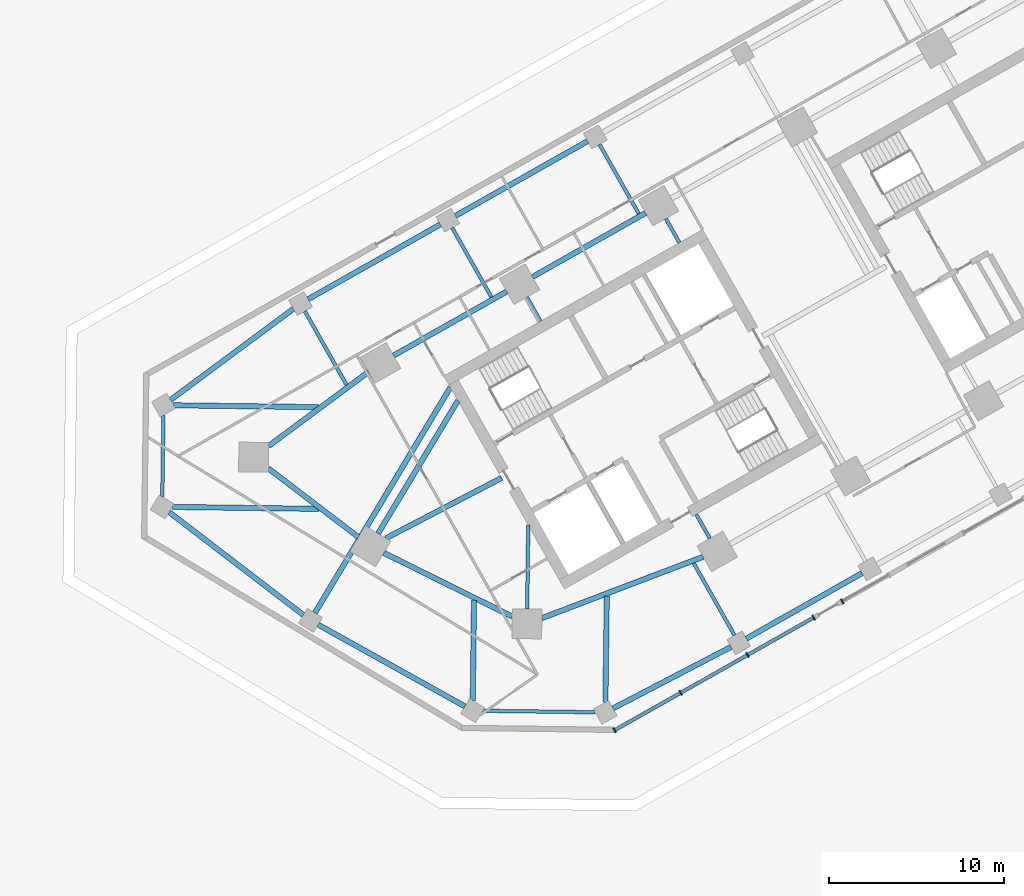
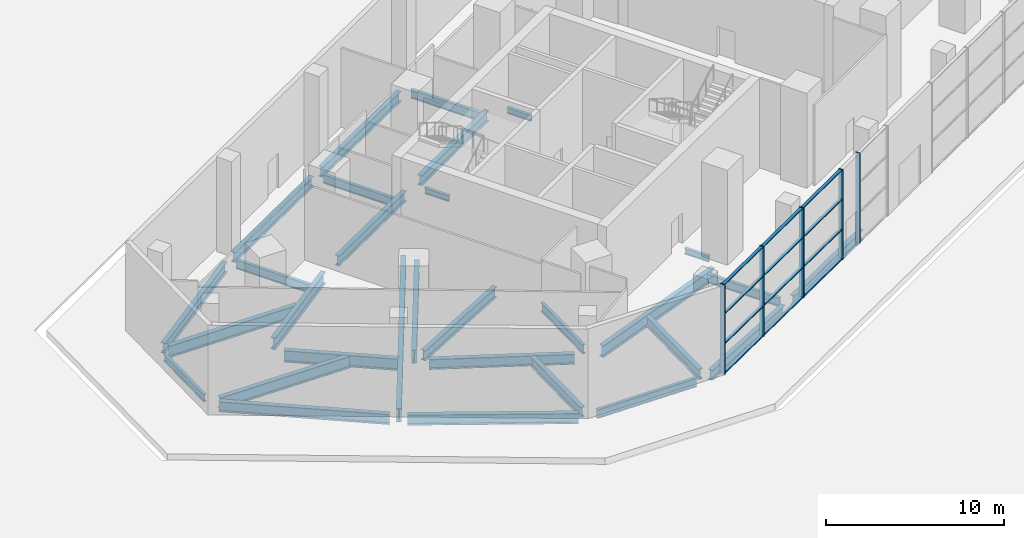
# One storey, part 3 of 22: 30 beams, 17 members, 2 elements without a shape of their own.
"""IFC4 building model written with IfcOpenShell, lengths in metres."""

from ifc_helpers import new_model, si_unit, direction, frame, origin, origin_2d, place, context, subcontext, project, spatial, rectangle, i_section, extrude, material, material_profile, profile_set, type_object, element, aggregate, save


model = new_model("IFC4")

# Units and contexts
model_context = context("Model", 3, precision=1e-05, world=origin(), true_north=direction((0.0, 1.0)))
body_context = subcontext(model_context, "Body", "Model", "MODEL_VIEW")
ifc_project = project(units=[si_unit("LENGTHUNIT", "METRE"), si_unit("AREAUNIT", "SQUARE_METRE"), si_unit("VOLUMEUNIT", "CUBIC_METRE"), si_unit("PLANEANGLEUNIT", "RADIAN"), si_unit("MASSUNIT", "GRAM", prefix="KILO")], contexts=[model_context])

# Site, building, storey
site_placement = place(None, origin())
site = spatial("IfcSite", under=ifc_project, at=site_placement, CompositionType="ELEMENT")
building_placement = place(site_placement, origin())
building = spatial("IfcBuilding", under=site, at=building_placement, Name="Binnacle Exchange Tower", CompositionType="ELEMENT")
storey_placement = place(building_placement, origin())
storey = spatial("IfcBuildingStorey", under=building, at=storey_placement, Name="L00", CompositionType="ELEMENT", Elevation=0.0)

# Curtain wall, members
ifc_material_1 = material(Name="Bronze anodised aluminium frame", Category="aluminium")
curtain_wall_type = type_object("IfcCurtainWallType", Name="External wall - curtain wall waterfront lobby", PredefinedType="NOTDEFINED", material=ifc_material_1)
curtain_wall_1_placement = place(storey_placement, origin())
curtain_wall_1 = element("IfcCurtainWall", 1, at=curtain_wall_1_placement, inside=storey, type_object=curtain_wall_type, Name="External wall curtain wall CW1-P06-1 L00", PredefinedType="NOTDEFINED")
ifc_material_profile_1 = material_profile(ifc_material_1, rectangle(XDim=0.300048828125, YDim=0.080078125, at=origin_2d()), Name="AL 80x300")
ifc_profile_set_1 = profile_set([ifc_material_profile_1], Name="Bronze anodised aluminium frame")
member_type_1 = type_object("IfcMemberType", Name="CW1 MULLION 80x300", PredefinedType="MULLION", material=ifc_profile_set_1)
member_1_placement = place(storey_placement, frame((-36.849609375, 21.40673828125, 0.0), z_axis=(0.0, 0.0, 1.0), x_axis=(-0.492423763019, 0.870355581136, 0.0)))
member_1 = element("IfcMember", 2, at=member_1_placement, type_object=member_type_1, Name="CW1-P06-1 mullion 1", PredefinedType="MULLION", context=body_context, shape_type="SweptSolid", body=[
    extrude(rectangle(XDim=0.300048828125, YDim=0.080078125, at=origin_2d()), origin(), (0.0, 0.0, 1.0), 6.14990234375),
])
member_2_placement = place(storey_placement, frame((-33.064453125, 23.54833984375, 0.0), z_axis=(0.0, 0.0, 1.0), x_axis=(-0.492423763019, 0.870355581136, 0.0)))
member_2 = element("IfcMember", 3, at=member_2_placement, type_object=member_type_1, Name="CW1-P06-1 mullion 2", PredefinedType="MULLION", context=body_context, shape_type="SweptSolid", body=[
    extrude(rectangle(XDim=0.300048828125, YDim=0.080078125, at=origin_2d()), origin(), (0.0, 0.0, 1.0), 6.14990234375),
])
member_3_placement = place(storey_placement, frame((-29.244384765625, 25.70947265625, 0.0), z_axis=(0.0, 0.0, 1.0), x_axis=(-0.492423763019, 0.870355581136, 0.0)))
member_3 = element("IfcMember", 4, at=member_3_placement, type_object=member_type_1, Name="CW1-P06-1 mullion 3", PredefinedType="MULLION", context=body_context, shape_type="SweptSolid", body=[
    extrude(rectangle(XDim=0.300048828125, YDim=0.080078125, at=origin_2d()), origin(), (0.0, 0.0, 1.0), 6.14990234375),
])
member_4_placement = place(storey_placement, frame((-25.458984375, 27.85107421875, 0.0), z_axis=(0.0, 0.0, 1.0), x_axis=(-0.492423763019, 0.870355581136, 0.0)))
member_4 = element("IfcMember", 5, at=member_4_placement, type_object=member_type_1, Name="CW1-P06-1 mullion 4", PredefinedType="MULLION", context=body_context, shape_type="SweptSolid", body=[
    extrude(rectangle(XDim=0.300048828125, YDim=0.080078125, at=origin_2d()), origin(), (0.0, 0.0, 1.0), 6.14990234375),
])

# Curtain wall, member
curtain_wall_2_placement = place(storey_placement, origin())
curtain_wall_2 = element("IfcCurtainWall", 6, at=curtain_wall_2_placement, inside=storey, type_object=curtain_wall_type, Name="External wall curtain wall CW1-P06-2 L00", PredefinedType="NOTDEFINED")
member_5_placement = place(storey_placement, frame((-23.82275390625, 28.77685546875, 0.0), z_axis=(0.0, 0.0, 1.0), x_axis=(-0.492423762867, 0.870355581222, 0.0)))
member_5 = element("IfcMember", 7, at=member_5_placement, type_object=member_type_1, Name="CW1-P06-2 mullion 1", PredefinedType="MULLION", context=body_context, shape_type="SweptSolid", body=[
    extrude(rectangle(XDim=0.300048828125, YDim=0.080078125, at=origin_2d()), origin(), (0.0, 0.0, 1.0), 6.14990234375),
])
aggregate(curtain_wall_2, [member_5])

# Member
ifc_material_profile_2 = material_profile(ifc_material_1, rectangle(XDim=0.199951171875, YDim=0.06005859375, at=origin_2d()), Name="AL 200x60")
ifc_profile_set_2 = profile_set([ifc_material_profile_2], Name="Bronze anodised aluminium frame")
member_type_2 = type_object("IfcMemberType", Name="CW1 TRANSOM 60x200", PredefinedType="USERDEFINED", material=ifc_profile_set_2)
member_6_placement = place(storey_placement, frame((-36.81494140625, 21.42626953125, 0.030029296875), z_axis=(0.870357207725, 0.492420888023, 0.0), x_axis=(-0.492420888023, 0.870357207725, 0.0)))
member_6 = element("IfcMember", 8, at=member_6_placement, type_object=member_type_2, Name="CW1-P06-1 transom 1.1", ObjectType="TRANSOM", PredefinedType="USERDEFINED", context=body_context, shape_type="SweptSolid", body=[
    extrude(rectangle(XDim=0.199951171875, YDim=0.06005859375, at=origin_2d()), origin(), (0.0, 0.0, 1.0), 4.269287109375),
])

member_7_placement = place(storey_placement, frame((-36.81494140625, 21.42626953125, 2.050048828125), z_axis=(0.870357207725, 0.492420888023, 0.0), x_axis=(-0.492420888023, 0.870357207725, 0.0)))
member_7 = element("IfcMember", 9, at=member_7_placement, type_object=member_type_2, Name="CW1-P06-1 transom 1.2", ObjectType="TRANSOM", PredefinedType="USERDEFINED", context=body_context, shape_type="SweptSolid", body=[
    extrude(rectangle(XDim=0.199951171875, YDim=0.06005859375, at=origin_2d()), origin(), (0.0, 0.0, 1.0), 4.269287109375),
])

member_8_placement = place(storey_placement, frame((-36.81494140625, 21.42626953125, 4.10009765625), z_axis=(0.870357207725, 0.492420888023, 0.0), x_axis=(-0.492420888023, 0.870357207725, 0.0)))
member_8 = element("IfcMember", 10, at=member_8_placement, type_object=member_type_2, Name="CW1-P06-1 transom 1.3", ObjectType="TRANSOM", PredefinedType="USERDEFINED", context=body_context, shape_type="SweptSolid", body=[
    extrude(rectangle(XDim=0.199951171875, YDim=0.06005859375, at=origin_2d()), origin(), (0.0, 0.0, 1.0), 4.269287109375),
])

member_9_placement = place(storey_placement, frame((-36.81494140625, 21.42626953125, 6.1201171875), z_axis=(0.870357207725, 0.492420888023, 0.0), x_axis=(-0.492420888023, 0.870357207725, 0.0)))
member_9 = element("IfcMember", 11, at=member_9_placement, type_object=member_type_2, Name="CW1-P06-1 transom 1.4", ObjectType="TRANSOM", PredefinedType="USERDEFINED", context=body_context, shape_type="SweptSolid", body=[
    extrude(rectangle(XDim=0.199951171875, YDim=0.06005859375, at=origin_2d()), origin(), (0.0, 0.0, 1.0), 4.269287109375),
])

member_10_placement = place(storey_placement, frame((-33.029541015625, 23.56787109375, 0.030029296875), z_axis=(0.870341161043, 0.492449249563, 0.0), x_axis=(-0.492449249563, 0.870341161043, 0.0)))
member_10 = element("IfcMember", 12, at=member_10_placement, type_object=member_type_2, Name="CW1-P06-1 transom 2.1", ObjectType="TRANSOM", PredefinedType="USERDEFINED", context=body_context, shape_type="SweptSolid", body=[
    extrude(rectangle(XDim=0.199951171875, YDim=0.06005859375, at=origin_2d()), origin(), (0.0, 0.0, 1.0), 4.309326171875),
])

member_11_placement = place(storey_placement, frame((-33.029541015625, 23.56787109375, 2.050048828125), z_axis=(0.870341161043, 0.492449249563, 0.0), x_axis=(-0.492449249563, 0.870341161043, 0.0)))
member_11 = element("IfcMember", 13, at=member_11_placement, type_object=member_type_2, Name="CW1-P06-1 transom 2.2", ObjectType="TRANSOM", PredefinedType="USERDEFINED", context=body_context, shape_type="SweptSolid", body=[
    extrude(rectangle(XDim=0.199951171875, YDim=0.06005859375, at=origin_2d()), origin(), (0.0, 0.0, 1.0), 4.309326171875),
])

member_12_placement = place(storey_placement, frame((-33.029541015625, 23.56787109375, 4.10009765625), z_axis=(0.870341161043, 0.492449249563, 0.0), x_axis=(-0.492449249563, 0.870341161043, 0.0)))
member_12 = element("IfcMember", 14, at=member_12_placement, type_object=member_type_2, Name="CW1-P06-1 transom 2.3", ObjectType="TRANSOM", PredefinedType="USERDEFINED", context=body_context, shape_type="SweptSolid", body=[
    extrude(rectangle(XDim=0.199951171875, YDim=0.06005859375, at=origin_2d()), origin(), (0.0, 0.0, 1.0), 4.309326171875),
])

member_13_placement = place(storey_placement, frame((-33.029541015625, 23.56787109375, 6.1201171875), z_axis=(0.870341161043, 0.492449249563, 0.0), x_axis=(-0.492449249563, 0.870341161043, 0.0)))
member_13 = element("IfcMember", 15, at=member_13_placement, type_object=member_type_2, Name="CW1-P06-1 transom 2.4", ObjectType="TRANSOM", PredefinedType="USERDEFINED", context=body_context, shape_type="SweptSolid", body=[
    extrude(rectangle(XDim=0.199951171875, YDim=0.06005859375, at=origin_2d()), origin(), (0.0, 0.0, 1.0), 4.309326171875),
])

member_14_placement = place(storey_placement, frame((-29.20947265625, 25.729248046875, 0.030029296875), z_axis=(0.870343340542, 0.492445397556, 0.0), x_axis=(-0.492445397556, 0.870343340542, 0.0)))
member_14 = element("IfcMember", 16, at=member_14_placement, type_object=member_type_2, Name="CW1-P06-1 transom 3.1", ObjectType="TRANSOM", PredefinedType="USERDEFINED", context=body_context, shape_type="SweptSolid", body=[
    extrude(rectangle(XDim=0.199951171875, YDim=0.06005859375, at=origin_2d()), origin(), (0.0, 0.0, 1.0), 4.26904296875),
])

member_15_placement = place(storey_placement, frame((-29.20947265625, 25.729248046875, 2.050048828125), z_axis=(0.870343340542, 0.492445397556, 0.0), x_axis=(-0.492445397556, 0.870343340542, 0.0)))
member_15 = element("IfcMember", 17, at=member_15_placement, type_object=member_type_2, Name="CW1-P06-1 transom 3.2", ObjectType="TRANSOM", PredefinedType="USERDEFINED", context=body_context, shape_type="SweptSolid", body=[
    extrude(rectangle(XDim=0.199951171875, YDim=0.06005859375, at=origin_2d()), origin(), (0.0, 0.0, 1.0), 4.26904296875),
])

member_16_placement = place(storey_placement, frame((-29.20947265625, 25.729248046875, 4.10009765625), z_axis=(0.870343340542, 0.492445397556, 0.0), x_axis=(-0.492445397556, 0.870343340542, 0.0)))
member_16 = element("IfcMember", 18, at=member_16_placement, type_object=member_type_2, Name="CW1-P06-1 transom 3.3", ObjectType="TRANSOM", PredefinedType="USERDEFINED", context=body_context, shape_type="SweptSolid", body=[
    extrude(rectangle(XDim=0.199951171875, YDim=0.06005859375, at=origin_2d()), origin(), (0.0, 0.0, 1.0), 4.26904296875),
])

member_17_placement = place(storey_placement, frame((-29.20947265625, 25.729248046875, 6.1201171875), z_axis=(0.870343340542, 0.492445397556, 0.0), x_axis=(-0.492445397556, 0.870343340542, 0.0)))
member_17 = element("IfcMember", 19, at=member_17_placement, type_object=member_type_2, Name="CW1-P06-1 transom 3.4", ObjectType="TRANSOM", PredefinedType="USERDEFINED", context=body_context, shape_type="SweptSolid", body=[
    extrude(rectangle(XDim=0.199951171875, YDim=0.06005859375, at=origin_2d()), origin(), (0.0, 0.0, 1.0), 4.26904296875),
])

aggregate(curtain_wall_1, [member_1, member_2, member_3, member_4, member_6, member_7, member_8, member_9, member_10, member_11, member_12, member_13, member_14, member_15, member_16, member_17])

# Beams
ifc_material_2 = material(Name="Steel S355 (SHN355)", Category="steel")
ifc_material_profile_3 = material_profile(ifc_material_2, i_section(OverallWidth=0.199951171875, OverallDepth=0.5, WebThickness=0.010009765625, FlangeThickness=0.01611328125, FilletRadius=0.02001953125, at=origin_2d()), Name="H 500x200x10x16")
ifc_profile_set_3 = profile_set([ifc_material_profile_3], Name="Steel S355 (SHN355)")
beam_type_1 = type_object("IfcBeamType", Name="Edge girder H 500x200x10x16 Steel S355 (SHN355)", PredefinedType="SPANDREL", material=ifc_profile_set_3)
beam_1_placement = place(storey_placement, frame((-62.71533203125, 34.7666015625, -0.699951171875), z_axis=(0.013051255038, 0.999914828744, 0.0), x_axis=(-0.999914828744, 0.013051255038, 0.0)))
element("IfcBeam", 20, at=beam_1_placement, inside=storey, type_object=beam_type_1, Name="S:BM:edge:L00:014", PredefinedType="SPANDREL", context=body_context, shape_type="SweptSolid", body=[
    extrude(i_section(OverallWidth=0.199951171875, OverallDepth=0.5, WebThickness=0.010009765625, FlangeThickness=0.01611328125, FilletRadius=0.02001953125, at=origin_2d()), origin(), (0.0, 0.0, 1.0), 4.657958984375),
])
ifc_material_profile_4 = material_profile(ifc_material_2, i_section(OverallWidth=0.201904296875, OverallDepth=0.612060546875, WebThickness=0.012939453125, FlangeThickness=0.02294921875, FilletRadius=0.02197265625, at=origin_2d()), Name="H 612x202x13x23")
ifc_profile_set_4 = profile_set([ifc_material_profile_4], Name="Steel S355 (SHN355)")
beam_type_2 = type_object("IfcBeamType", Name="Edge girder H 612x202x13x23 Steel S355 (SHN355)", PredefinedType="SPANDREL", material=ifc_profile_set_4)
beam_2_placement = place(storey_placement, frame((-37.95703125, 22.4365234375, -0.756103515625), z_axis=(-0.999914291463, 0.013092353811, 0.0), x_axis=(-0.013092353811, -0.999914291463, 0.0)))
element("IfcBeam", 21, at=beam_2_placement, inside=storey, type_object=beam_type_2, Name="S:BM:edge:L00:025", PredefinedType="SPANDREL", context=body_context, shape_type="SweptSolid", body=[
    extrude(i_section(OverallWidth=0.201904296875, OverallDepth=0.612060546875, WebThickness=0.012939453125, FlangeThickness=0.02294921875, FilletRadius=0.02197265625, at=origin_2d()), origin(), (0.0, 0.0, 1.0), 6.433349609375),
])
ifc_material_profile_5 = material_profile(ifc_material_2, i_section(OverallWidth=0.300048828125, OverallDepth=0.699951171875, WebThickness=0.012939453125, FlangeThickness=0.02392578125, FilletRadius=0.028076171875, at=origin_2d()), Name="H 700x300x13x24")
ifc_profile_set_5 = profile_set([ifc_material_profile_5], Name="Steel S355 (SHN355)")
beam_type_3 = type_object("IfcBeamType", Name="Edge girder H 700x300x13x24 Steel S355 (SHN355)", PredefinedType="SPANDREL", material=ifc_profile_set_5)
beam_3_placement = place(storey_placement, frame((-62.2421875, 40.302978515625, -0.800048828125), z_axis=(0.803179419827, 0.5957372068, 0.0), x_axis=(-0.5957372068, 0.803179419827, 0.0)))
element("IfcBeam", 22, at=beam_3_placement, inside=storey, type_object=beam_type_3, Name="S:BM:edge:L00:015", PredefinedType="SPANDREL", context=body_context, shape_type="SweptSolid", body=[
    extrude(i_section(OverallWidth=0.300048828125, OverallDepth=0.699951171875, WebThickness=0.012939453125, FlangeThickness=0.02392578125, FilletRadius=0.028076171875, at=origin_2d()), origin(), (0.0, 0.0, 1.0), 8.750244140625),
])
beam_4_placement = place(storey_placement, frame((-54.374267578125, 46.06201171875, -0.800048828125), z_axis=(0.870345980185, 0.492440732247, 0.0), x_axis=(-0.492440732247, 0.870345980185, 0.0)))
element("IfcBeam", 23, at=beam_4_placement, inside=storey, type_object=beam_type_3, Name="S:BM:edge:L00:018", PredefinedType="SPANDREL", context=body_context, shape_type="SweptSolid", body=[
    extrude(i_section(OverallWidth=0.300048828125, OverallDepth=0.699951171875, WebThickness=0.012939453125, FlangeThickness=0.02392578125, FilletRadius=0.028076171875, at=origin_2d()), origin(), (0.0, 0.0, 1.0), 8.68408203125),
])
beam_5_placement = place(storey_placement, frame((-50.0478515625, 31.55224609375, -0.800048828125), z_axis=(0.896059216286, -0.443934545749, 0.0), x_axis=(0.443934545749, 0.896059216286, 0.0)))
element("IfcBeam", 24, at=beam_5_placement, inside=storey, type_object=beam_type_3, Name="S:BM:edge:L00:020", PredefinedType="SPANDREL", context=body_context, shape_type="SweptSolid", body=[
    extrude(i_section(OverallWidth=0.300048828125, OverallDepth=0.699951171875, WebThickness=0.012939453125, FlangeThickness=0.02392578125, FilletRadius=0.028076171875, at=origin_2d()), origin(), (0.0, 0.0, 1.0), 8.197509765625),
])
beam_6_placement = place(storey_placement, frame((-45.94580078125, 50.830810546875, -0.800048828125), z_axis=(0.870370078582, 0.492398138003, 0.0), x_axis=(-0.492398138003, 0.870370078582, 0.0)))
element("IfcBeam", 25, at=beam_6_placement, inside=storey, type_object=beam_type_3, Name="S:BM:edge:L00:021", PredefinedType="SPANDREL", context=body_context, shape_type="SweptSolid", body=[
    extrude(i_section(OverallWidth=0.300048828125, OverallDepth=0.699951171875, WebThickness=0.012939453125, FlangeThickness=0.02392578125, FilletRadius=0.028076171875, at=origin_2d()), origin(), (0.0, 0.0, 1.0), 8.683837890625),
])
beam_7_placement = place(storey_placement, frame((-43.019775390625, 46.5, -0.800048828125), z_axis=(-0.870364477798, -0.492408037898, 0.0), x_axis=(0.492408037898, -0.870364477798, 0.0)))
element("IfcBeam", 26, at=beam_7_placement, inside=storey, type_object=beam_type_3, Name="S:BM:edge:L00:023", PredefinedType="SPANDREL", context=body_context, shape_type="SweptSolid", body=[
    extrude(i_section(OverallWidth=0.300048828125, OverallDepth=0.699951171875, WebThickness=0.012939453125, FlangeThickness=0.02392578125, FilletRadius=0.028076171875, at=origin_2d()), origin(), (0.0, 0.0, 1.0), 7.4296875),
])
beam_8_placement = place(storey_placement, frame((-35.073486328125, 50.995849609375, -0.800048828125), z_axis=(-0.870372444894, -0.492393955253, 0.0), x_axis=(0.492393955253, -0.870372444894, 0.0)))
element("IfcBeam", 27, at=beam_8_placement, inside=storey, type_object=beam_type_3, Name="S:BM:edge:L00:027", PredefinedType="SPANDREL", context=body_context, shape_type="SweptSolid", body=[
    extrude(i_section(OverallWidth=0.300048828125, OverallDepth=0.699951171875, WebThickness=0.012939453125, FlangeThickness=0.02392578125, FilletRadius=0.028076171875, at=origin_2d()), origin(), (0.0, 0.0, 1.0), 7.429931640625),
])
beam_9_placement = place(storey_placement, frame((-30.184326171875, 26.17431640625, -0.800048828125), z_axis=(-0.88697979282, -0.461808236315, 0.0), x_axis=(0.461808236315, -0.88697979282, 0.0)))
element("IfcBeam", 28, at=beam_9_placement, inside=storey, type_object=beam_type_3, Name="S:BM:edge:L00:029", PredefinedType="SPANDREL", context=body_context, shape_type="SweptSolid", body=[
    extrude(i_section(OverallWidth=0.300048828125, OverallDepth=0.699951171875, WebThickness=0.012939453125, FlangeThickness=0.02392578125, FilletRadius=0.028076171875, at=origin_2d()), origin(), (0.0, 0.0, 1.0), 7.610107421875),
])
beam_10_placement = place(storey_placement, frame((-22.68603515625, 30.396728515625, -0.800048828125), z_axis=(-0.870352907673, -0.492428488316, 0.0), x_axis=(0.492428488316, -0.870352907673, 0.0)))
element("IfcBeam", 29, at=beam_10_placement, inside=storey, type_object=beam_type_3, Name="S:BM:edge:L00:032", PredefinedType="SPANDREL", context=body_context, shape_type="SweptSolid", body=[
    extrude(i_section(OverallWidth=0.300048828125, OverallDepth=0.699951171875, WebThickness=0.012939453125, FlangeThickness=0.02392578125, FilletRadius=0.028076171875, at=origin_2d()), origin(), (0.0, 0.0, 1.0), 7.60546875),
])
ifc_material_profile_6 = material_profile(ifc_material_2, i_section(OverallWidth=0.302001953125, OverallDepth=0.7080078125, WebThickness=0.014892578125, FlangeThickness=0.028076171875, FilletRadius=0.028076171875, at=origin_2d()), Name="H 708x302x15x28")
ifc_profile_set_6 = profile_set([ifc_material_profile_6], Name="Steel S355 (SHN355)")
beam_type_4 = type_object("IfcBeamType", Name="Edge girder H 708x302x15x28 Steel S355 (SHN355)", PredefinedType="SPANDREL", material=ifc_profile_set_6)
beam_11_placement = place(storey_placement, frame((-54.644287109375, 27.999755859375, -0.803955078125), z_axis=(-0.793871146685, 0.608086015676, 0.0), x_axis=(-0.608086015676, -0.793871146685, 0.0)))
element("IfcBeam", 30, at=beam_11_placement, inside=storey, type_object=beam_type_4, Name="S:BM:edge:L00:017", PredefinedType="SPANDREL", context=body_context, shape_type="SweptSolid", body=[
    extrude(i_section(OverallWidth=0.302001953125, OverallDepth=0.7080078125, WebThickness=0.014892578125, FlangeThickness=0.028076171875, FilletRadius=0.028076171875, at=origin_2d()), origin(), (0.0, 0.0, 1.0), 9.673095703125),
])
beam_12_placement = place(storey_placement, frame((-45.40576171875, 22.771728515625, -0.803955078125), z_axis=(-0.873676660619, 0.486507032518, 0.0), x_axis=(-0.486507032518, -0.873676660619, 0.0)))
element("IfcBeam", 31, at=beam_12_placement, inside=storey, type_object=beam_type_4, Name="S:BM:edge:L00:022", PredefinedType="SPANDREL", context=body_context, shape_type="SweptSolid", body=[
    extrude(i_section(OverallWidth=0.302001953125, OverallDepth=0.7080078125, WebThickness=0.014892578125, FlangeThickness=0.028076171875, FilletRadius=0.028076171875, at=origin_2d()), origin(), (0.0, 0.0, 1.0), 9.616943359375),
])
ifc_material_profile_7 = material_profile(ifc_material_2, i_section(OverallWidth=0.302001953125, OverallDepth=0.80810546875, WebThickness=0.01611328125, FlangeThickness=0.030029296875, FilletRadius=0.028076171875, at=origin_2d()), Name="H 808x302x16x30")
ifc_profile_set_7 = profile_set([ifc_material_profile_7], Name="Steel S355 (SHN355)")
beam_type_5 = type_object("IfcBeamType", Name="Edge girder H 808x302x16x30 Steel S355 (SHN355)", PredefinedType="SPANDREL", material=ifc_profile_set_7)
beam_13_placement = place(storey_placement, frame((-56.6513671875, 36.38525390625, -0.85400390625), z_axis=(0.795093040263, -0.606487474994, 0.0), x_axis=(0.606487474994, 0.795093040263, 0.0)))
element("IfcBeam", 32, at=beam_13_placement, inside=storey, type_object=beam_type_5, Name="S:BM:edge:L00:016", PredefinedType="SPANDREL", context=body_context, shape_type="SweptSolid", body=[
    extrude(i_section(OverallWidth=0.302001953125, OverallDepth=0.80810546875, WebThickness=0.01611328125, FlangeThickness=0.030029296875, FilletRadius=0.028076171875, at=origin_2d()), origin(), (0.0, 0.0, 1.0), 6.489013671875),
])
beam_14_placement = place(storey_placement, frame((-50.913818359375, 41.912353515625, -0.85400390625), z_axis=(-0.80288535334, -0.59613346609, 0.0), x_axis=(0.59613346609, -0.80288535334, 0.0)))
element("IfcBeam", 33, at=beam_14_placement, inside=storey, type_object=beam_type_5, Name="S:BM:edge:L00:019", PredefinedType="SPANDREL", context=body_context, shape_type="SweptSolid", body=[
    extrude(i_section(OverallWidth=0.302001953125, OverallDepth=0.80810546875, WebThickness=0.01611328125, FlangeThickness=0.030029296875, FilletRadius=0.028076171875, at=origin_2d()), origin(), (0.0, 0.0, 1.0), 7.125244140625),
])
beam_15_placement = place(storey_placement, frame((-41.00341796875, 27.81982421875, -0.85400390625), z_axis=(0.934628738252, 0.355624973297, 0.0), x_axis=(-0.355624973297, 0.934628738252, 0.0)))
element("IfcBeam", 34, at=beam_15_placement, inside=storey, type_object=beam_type_5, Name="S:BM:edge:L00:024", PredefinedType="SPANDREL", context=body_context, shape_type="SweptSolid", body=[
    extrude(i_section(OverallWidth=0.302001953125, OverallDepth=0.80810546875, WebThickness=0.01611328125, FlangeThickness=0.030029296875, FilletRadius=0.028076171875, at=origin_2d()), origin(), (0.0, 0.0, 1.0), 9.869384765625),
])
ifc_material_profile_8 = material_profile(ifc_material_2, i_section(OverallWidth=0.199951171875, OverallDepth=0.39990234375, WebThickness=0.008056640625, FlangeThickness=0.012939453125, FilletRadius=0.01611328125, at=origin_2d()), Name="H 400x200x8x13")
ifc_profile_set_8 = profile_set([ifc_material_profile_8], Name="Steel S355 (SHN355)")
beam_type_6 = type_object("IfcBeamType", Name="Floor beam H 400x200x8x13 Steel S355 (SHN355)", PredefinedType="BEAM", material=ifc_profile_set_8)
beam_16_placement = place(storey_placement, frame((-41.861328125, 46.178955078125, -0.64990234375), z_axis=(0.492366981934, -0.870387703901, 0.0), x_axis=(0.870387703901, 0.492366981934, 0.0)))
element("IfcBeam", 35, at=beam_16_placement, inside=storey, type_object=beam_type_6, Name="S:BM:cross:L00:083", PredefinedType="BEAM", context=body_context, shape_type="SweptSolid", body=[
    extrude(i_section(OverallWidth=0.199951171875, OverallDepth=0.39990234375, WebThickness=0.008056640625, FlangeThickness=0.012939453125, FilletRadius=0.01611328125, at=origin_2d()), origin(), (0.0, 0.0, 1.0), 1.584228515625),
])
beam_17_placement = place(storey_placement, frame((-33.915283203125, 50.674560546875, -0.64990234375), z_axis=(0.492483715062, -0.870321659158, 0.0), x_axis=(0.870321659158, 0.492483715062, 0.0)))
element("IfcBeam", 36, at=beam_17_placement, inside=storey, type_object=beam_type_6, Name="S:BM:cross:L00:087", PredefinedType="BEAM", context=body_context, shape_type="SweptSolid", body=[
    extrude(i_section(OverallWidth=0.199951171875, OverallDepth=0.39990234375, WebThickness=0.008056640625, FlangeThickness=0.012939453125, FilletRadius=0.01611328125, at=origin_2d()), origin(), (0.0, 0.0, 1.0), 1.58447265625),
])
beam_18_placement = place(storey_placement, frame((-31.394287109375, 32.375, -0.64990234375), z_axis=(-0.492366981934, 0.870387703901, 0.0), x_axis=(-0.870387703901, -0.492366981934, 0.0)))
element("IfcBeam", 37, at=beam_18_placement, inside=storey, type_object=beam_type_6, Name="S:BM:cross:L00:088", PredefinedType="BEAM", context=body_context, shape_type="SweptSolid", body=[
    extrude(i_section(OverallWidth=0.199951171875, OverallDepth=0.39990234375, WebThickness=0.008056640625, FlangeThickness=0.012939453125, FilletRadius=0.01611328125, at=origin_2d()), origin(), (0.0, 0.0, 1.0), 1.584228515625),
])
ifc_material_profile_9 = material_profile(ifc_material_2, i_section(OverallWidth=0.200927734375, OverallDepth=0.60595703125, WebThickness=0.011962890625, FlangeThickness=0.02001953125, FilletRadius=0.02197265625, at=origin_2d()), Name="H 606x201x12x20")
ifc_profile_set_9 = profile_set([ifc_material_profile_9], Name="Steel S355 (SHN355)")
beam_type_7 = type_object("IfcBeamType", Name="Floor beam H 606x201x12x20 Steel S355 (SHN355)", PredefinedType="BEAM", material=ifc_profile_set_9)
beam_19_placement = place(storey_placement, frame((-54.563232421875, 45.380615234375, -0.7529296875), z_axis=(0.492430552239, -0.870351739943, 0.0), x_axis=(0.870351739943, 0.492430552239, 0.0)))
element("IfcBeam", 38, at=beam_19_placement, inside=storey, type_object=beam_type_7, Name="S:BM:cross:L00:078", PredefinedType="BEAM", context=body_context, shape_type="SweptSolid", body=[
    extrude(i_section(OverallWidth=0.200927734375, OverallDepth=0.60595703125, WebThickness=0.011962890625, FlangeThickness=0.02001953125, FilletRadius=0.02197265625, at=origin_2d()), origin(), (0.0, 0.0, 1.0), 4.848388671875),
])
beam_20_placement = place(storey_placement, frame((-46.134765625, 50.1494140625, -0.7529296875), z_axis=(0.492392410291, -0.87037331892, 0.0), x_axis=(0.87037331892, 0.492392410291, 0.0)))
element("IfcBeam", 39, at=beam_20_placement, inside=storey, type_object=beam_type_7, Name="S:BM:cross:L00:081", PredefinedType="BEAM", context=body_context, shape_type="SweptSolid", body=[
    extrude(i_section(OverallWidth=0.200927734375, OverallDepth=0.60595703125, WebThickness=0.011962890625, FlangeThickness=0.02001953125, FilletRadius=0.02197265625, at=origin_2d()), origin(), (0.0, 0.0, 1.0), 4.56005859375),
])
beam_21_placement = place(storey_placement, frame((-37.706298828125, 54.917724609375, -0.7529296875), z_axis=(0.492415355874, -0.870360337619, 0.0), x_axis=(0.870360337619, 0.492415355874, 0.0)))
element("IfcBeam", 40, at=beam_21_placement, inside=storey, type_object=beam_type_7, Name="S:BM:cross:L00:085", PredefinedType="BEAM", context=body_context, shape_type="SweptSolid", body=[
    extrude(i_section(OverallWidth=0.200927734375, OverallDepth=0.60595703125, WebThickness=0.011962890625, FlangeThickness=0.02001953125, FilletRadius=0.02197265625, at=origin_2d()), origin(), (0.0, 0.0, 1.0), 4.559814453125),
])
beam_22_placement = place(storey_placement, frame((-29.98681640625, 26.840576171875, -0.7529296875), z_axis=(-0.492417108435, 0.870359346087, 0.0), x_axis=(-0.870359346087, -0.492417108435, 0.0)))
element("IfcBeam", 41, at=beam_22_placement, inside=storey, type_object=beam_type_7, Name="S:BM:cross:L00:089", PredefinedType="BEAM", context=body_context, shape_type="SweptSolid", body=[
    extrude(i_section(OverallWidth=0.200927734375, OverallDepth=0.60595703125, WebThickness=0.011962890625, FlangeThickness=0.02001953125, FilletRadius=0.02197265625, at=origin_2d()), origin(), (0.0, 0.0, 1.0), 4.73876953125),
])
ifc_material_profile_10 = material_profile(ifc_material_2, i_section(OverallWidth=0.201904296875, OverallDepth=0.612060546875, WebThickness=0.012939453125, FlangeThickness=0.02294921875, FilletRadius=0.02197265625, at=origin_2d()), Name="H 612x202x13x23")
ifc_profile_set_10 = profile_set([ifc_material_profile_10], Name="Steel S355 (SHN355)")
beam_type_8 = type_object("IfcBeamType", Name="Floor beam H 612x202x13x23 Steel S355 (SHN355)", PredefinedType="BEAM", material=ifc_profile_set_10)
beam_23_placement = place(storey_placement, frame((-41.8466796875, 28.3447265625, -0.756103515625), z_axis=(0.013120628196, 0.999913920853, 0.0), x_axis=(-0.999913920853, 0.013120628196, 0.0)))
element("IfcBeam", 42, at=beam_23_placement, inside=storey, type_object=beam_type_8, Name="S:BM:cross:L00:084", PredefinedType="BEAM", context=body_context, shape_type="SweptSolid", body=[
    extrude(i_section(OverallWidth=0.201904296875, OverallDepth=0.612060546875, WebThickness=0.012939453125, FlangeThickness=0.02294921875, FilletRadius=0.02197265625, at=origin_2d()), origin(), (0.0, 0.0, 1.0), 4.80078125),
])
ifc_material_profile_11 = material_profile(ifc_material_2, i_section(OverallWidth=0.300048828125, OverallDepth=0.699951171875, WebThickness=0.012939453125, FlangeThickness=0.02392578125, FilletRadius=0.028076171875, at=origin_2d()), Name="H 700x300x13x24")
ifc_profile_set_11 = profile_set([ifc_material_profile_11], Name="Steel S355 (SHN355)")
beam_type_9 = type_object("IfcBeamType", Name="Floor beam H 700x300x13x24 Steel S355 (SHN355)", PredefinedType="BEAM", material=ifc_profile_set_11)
beam_24_placement = place(storey_placement, frame((-44.9609375, 23.107177734375, -0.800048828125), z_axis=(0.013063826795, 0.999914664574, 0.0), x_axis=(-0.999914664574, 0.013063826795, 0.0)))
element("IfcBeam", 43, at=beam_24_placement, inside=storey, type_object=beam_type_9, Name="S:BM:cross:L00:082", PredefinedType="BEAM", context=body_context, shape_type="SweptSolid", body=[
    extrude(i_section(OverallWidth=0.300048828125, OverallDepth=0.699951171875, WebThickness=0.012939453125, FlangeThickness=0.02392578125, FilletRadius=0.028076171875, at=origin_2d()), origin(), (0.0, 0.0, 1.0), 5.7373046875),
])
beam_25_placement = place(storey_placement, frame((-37.37060546875, 23.0078125, -0.800048828125), z_axis=(0.013099663551, 0.999914195726, 0.0), x_axis=(-0.999914195726, 0.013099663551, 0.0)))
element("IfcBeam", 44, at=beam_25_placement, inside=storey, type_object=beam_type_9, Name="S:BM:cross:L00:086", PredefinedType="BEAM", context=body_context, shape_type="SweptSolid", body=[
    extrude(i_section(OverallWidth=0.300048828125, OverallDepth=0.699951171875, WebThickness=0.012939453125, FlangeThickness=0.02392578125, FilletRadius=0.028076171875, at=origin_2d()), origin(), (0.0, 0.0, 1.0), 6.07568359375),
])
ifc_material_profile_12 = material_profile(ifc_material_2, i_section(OverallWidth=0.302001953125, OverallDepth=0.80810546875, WebThickness=0.01611328125, FlangeThickness=0.030029296875, FilletRadius=0.028076171875, at=origin_2d()), Name="H 808x302x16x30")
ifc_profile_set_12 = profile_set([ifc_material_profile_12], Name="Steel S355 (SHN355)")
beam_type_10 = type_object("IfcBeamType", Name="Floor beam H 808x302x16x30 Steel S355 (SHN355)", PredefinedType="BEAM", material=ifc_profile_set_12)
beam_26_placement = place(storey_placement, frame((-62.144287109375, 34.180419921875, -0.85400390625), z_axis=(0.999914070306, -0.013109233529, 0.0), x_axis=(0.013109233529, 0.999914070306, 0.0)))
element("IfcBeam", 45, at=beam_26_placement, inside=storey, type_object=beam_type_10, Name="S:BM:cross:L00:076", PredefinedType="BEAM", context=body_context, shape_type="SweptSolid", body=[
    extrude(i_section(OverallWidth=0.302001953125, OverallDepth=0.80810546875, WebThickness=0.01611328125, FlangeThickness=0.030029296875, FilletRadius=0.028076171875, at=origin_2d()), origin(), (0.0, 0.0, 1.0), 8.380615234375),
])
beam_27_placement = place(storey_placement, frame((-62.068115234375, 39.995361328125, -0.85400390625), z_axis=(0.999914190197, -0.013100085584, 0.0), x_axis=(0.013100085584, 0.999914190197, 0.0)))
element("IfcBeam", 46, at=beam_27_placement, inside=storey, type_object=beam_type_10, Name="S:BM:cross:L00:077", PredefinedType="BEAM", context=body_context, shape_type="SweptSolid", body=[
    extrude(i_section(OverallWidth=0.302001953125, OverallDepth=0.80810546875, WebThickness=0.01611328125, FlangeThickness=0.030029296875, FilletRadius=0.028076171875, at=origin_2d()), origin(), (0.0, 0.0, 1.0), 8.274658203125),
])
ifc_material_profile_13 = material_profile(ifc_material_2, i_section(OverallWidth=0.302001953125, OverallDepth=0.912109375, WebThickness=0.01806640625, FlangeThickness=0.033935546875, FilletRadius=0.028076171875, at=origin_2d()), Name="H 912x302x18x34")
ifc_profile_set_13 = profile_set([ifc_material_profile_13], Name="Steel S355 (SHN355)")
beam_type_11 = type_object("IfcBeamType", Name="Floor beam H 912x302x18x34 Steel S355 (SHN355)", PredefinedType="BEAM", material=ifc_profile_set_13)
beam_28_placement = place(storey_placement, frame((-50.374267578125, 32.659423828125, -0.906005859375), z_axis=(0.515042389499, 0.857164708221, 0.0), x_axis=(-0.857164708221, 0.515042389499, 0.0)))
element("IfcBeam", 47, at=beam_28_placement, inside=storey, type_object=beam_type_11, Name="S:BM:cross:L00:080", PredefinedType="BEAM", context=body_context, shape_type="SweptSolid", body=[
    extrude(i_section(OverallWidth=0.302001953125, OverallDepth=0.912109375, WebThickness=0.01806640625, FlangeThickness=0.033935546875, FilletRadius=0.028076171875, at=origin_2d()), origin(), (0.0, 0.0, 1.0), 8.865234375),
])
ifc_material_profile_14 = material_profile(ifc_material_2, i_section(OverallWidth=0.302978515625, OverallDepth=0.91796875, WebThickness=0.01904296875, FlangeThickness=0.037109375, FilletRadius=0.028076171875, at=origin_2d()), Name="H 918x303x19x37")
ifc_profile_set_14 = profile_set([ifc_material_profile_14], Name="Steel S355 (SHN355)")
beam_type_12 = type_object("IfcBeamType", Name="Floor beam H 918x303x19x37 Steel S355 (SHN355)", PredefinedType="BEAM", material=ifc_profile_set_14)
beam_29_placement = place(storey_placement, frame((-53.9873046875, 28.122314453125, -0.908935546875), z_axis=(0.515027805522, 0.857173471089, 0.0), x_axis=(-0.857173471089, 0.515027805522, 0.0)))
element("IfcBeam", 48, at=beam_29_placement, inside=storey, type_object=beam_type_12, Name="S:BM:cross:L00:079", PredefinedType="BEAM", context=body_context, shape_type="SweptSolid", body=[
    extrude(i_section(OverallWidth=0.302978515625, OverallDepth=0.91796875, WebThickness=0.01904296875, FlangeThickness=0.037109375, FilletRadius=0.028076171875, at=origin_2d()), origin(), (0.0, 0.0, 1.0), 15.04541015625),
])
ifc_material_profile_15 = material_profile(ifc_material_2, i_section(OverallWidth=0.302001953125, OverallDepth=0.7080078125, WebThickness=0.014892578125, FlangeThickness=0.028076171875, FilletRadius=0.028076171875, at=origin_2d()), Name="H 708x302x15x28")
ifc_profile_set_15 = profile_set([ifc_material_profile_15], Name="Steel S355 (SHN355)")
beam_type_13 = type_object("IfcBeamType", Name="Spine girder H 708x302x15x28 Steel S355 (SHN355)", PredefinedType="BEAM", material=ifc_profile_set_15)
beam_30_placement = place(storey_placement, frame((-49.927734375, 32.391357421875, -0.803955078125), z_axis=(0.886979965344, 0.461807904954, 0.0), x_axis=(-0.461807904954, 0.886979965344, 0.0)))
element("IfcBeam", 49, at=beam_30_placement, inside=storey, type_object=beam_type_13, Name="S:BM:spine:L00:001", PredefinedType="BEAM", context=body_context, shape_type="SweptSolid", body=[
    extrude(i_section(OverallWidth=0.302001953125, OverallDepth=0.7080078125, WebThickness=0.014892578125, FlangeThickness=0.028076171875, FilletRadius=0.028076171875, at=origin_2d()), origin(), (0.0, 0.0, 1.0), 7.463623046875),
])

save(model, "model.ifc")
